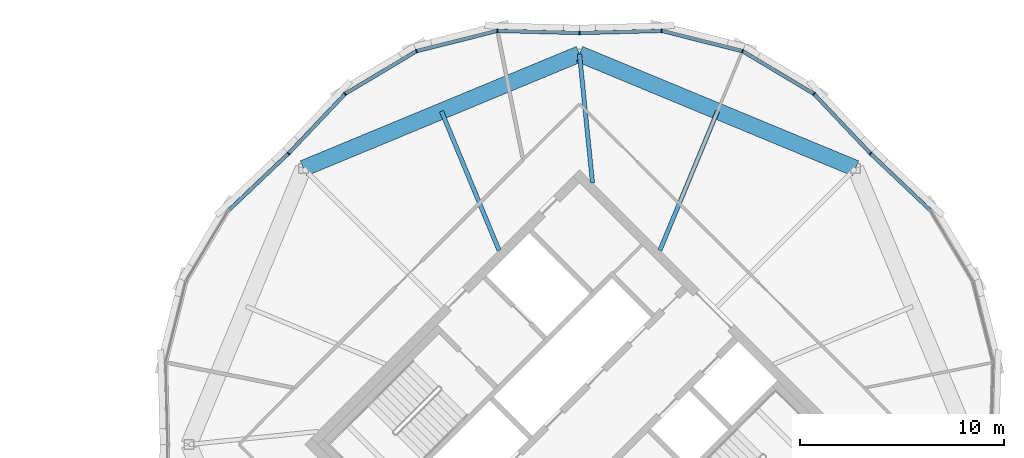
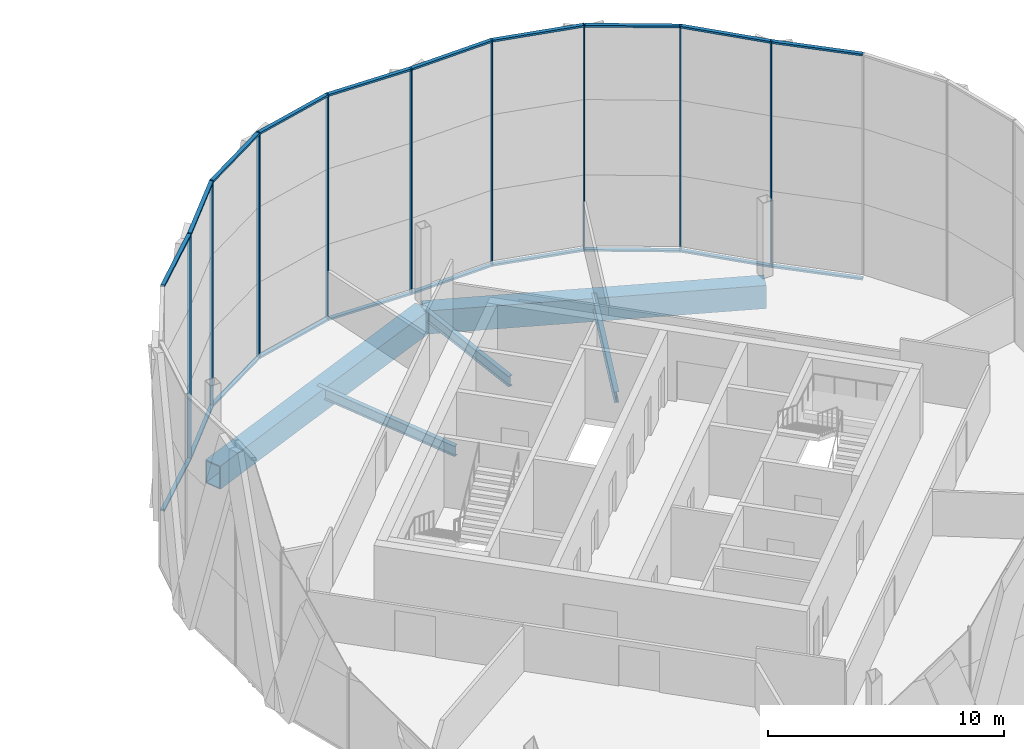
# One storey, part 11 of 22: 29 members, 5 beams, 4 elements without a shape of their own.
"""IFC4 building model written with IfcOpenShell, lengths in metres."""

import ifcopenshell
import ifcopenshell.guid

model = None  # the IFC model being written
_history = None  # IfcOwnerHistory: only IFC2X3 demands one
_inside = {}  # id of a spatial element -> (the spatial element, [elements in it])
_under = {}  # id of a project, library or spatial element -> (it, [spatial elements below it])
_declared = {}  # id of a project -> (the project, [libraries it declares])
_typed = {}  # id of a type object -> (the type object, [elements of that type])
_made_of = {}  # id of a material, layer set ... -> (it, [elements and type objects made of it])


def new_model(schema):
    """Start an empty IFC model of exactly this schema.

    Asked for "IFC4X3", IfcOpenShell would pick the latest addendum, in which some entities
    have other attributes; the version numbers below select the first issue.
    IFC2X3 requires an IfcOwnerHistory on every rooted entity: one is made here for all.
    """
    global model, _history
    if schema == "IFC4X3":
        model = ifcopenshell.file(schema_version=(4, 3, 0, 0))
    else:
        model = ifcopenshell.file(schema=schema)
    _inside.clear()
    _under.clear()
    _declared.clear()
    _typed.clear()
    _made_of.clear()
    _history = None
    if model.schema == "IFC2X3":
        org = make("IfcOrganization", Name="unknown")
        user = make(
            "IfcPersonAndOrganization",
            ThePerson=make("IfcPerson", FamilyName="unknown"),
            TheOrganization=org,
        )
        app = make(
            "IfcApplication",
            ApplicationDeveloper=org,
            Version="unknown",
            ApplicationFullName="unknown",
            ApplicationIdentifier="unknown",
        )
        _history = make(
            "IfcOwnerHistory",
            OwningUser=user,
            OwningApplication=app,
            ChangeAction="ADDED",
            CreationDate=0,
        )
    return model


def make(cls, **values):
    """One entity of the class cls with the attributes given. An attribute that is None is left unset."""
    return model.create_entity(
        cls, **{name: value for name, value in values.items() if value is not None}
    )


def rooted(cls, **values):
    """An entity with a GlobalId (a new one), such as an element, a storey or a relation."""
    return make(cls, GlobalId=ifcopenshell.guid.new(), OwnerHistory=_history, **values)


def si_unit(unit_type, name, prefix=None):
    """IfcSIUnit, for example si_unit("LENGTHUNIT", "METRE", prefix="MILLI")."""
    return make("IfcSIUnit", UnitType=unit_type, Prefix=prefix, Name=name)


def assignment(units):
    """IfcUnitAssignment: the units of a project."""
    return None if units is None else make("IfcUnitAssignment", Units=units)


def point(xyz):
    """IfcCartesianPoint."""
    return None if xyz is None else make("IfcCartesianPoint", Coordinates=xyz)


def direction(xyz):
    """IfcDirection."""
    return None if xyz is None else make("IfcDirection", DirectionRatios=xyz)


def frame(location, z_axis=None, x_axis=None):
    """IfcAxis2Placement3D, a coordinate frame: its origin and axes. An axis left out is left unset."""
    return make(
        "IfcAxis2Placement3D",
        Location=point(location),
        Axis=direction(z_axis),
        RefDirection=direction(x_axis),
    )


def frame_2d(location, x_axis=None):
    """IfcAxis2Placement2D, a coordinate frame in the plane: its origin and x axis."""
    return make(
        "IfcAxis2Placement2D", Location=point(location), RefDirection=direction(x_axis)
    )


def origin():
    """The frame at (0, 0, 0) with its axes left unset."""
    return frame((0.0, 0.0, 0.0))


def origin_2d():
    """The frame at (0, 0) in the plane with its x axis left unset."""
    return frame_2d((0.0, 0.0))


def place(relative_to, where):
    """IfcLocalPlacement: puts the frame where relative to a parent placement (None: the world)."""
    return make(
        "IfcLocalPlacement", PlacementRelTo=relative_to, RelativePlacement=where
    )


def context(
    kind, dimensions, precision=None, world=None, true_north=None, identifier=None
):
    """IfcGeometricRepresentationContext, for example the 3D "Model" context."""
    return make(
        "IfcGeometricRepresentationContext",
        ContextIdentifier=identifier,
        ContextType=kind,
        CoordinateSpaceDimension=dimensions,
        Precision=precision,
        WorldCoordinateSystem=world,
        TrueNorth=true_north,
    )


def subcontext(parent, identifier, kind, view, scale=None):
    """IfcGeometricRepresentationSubContext, for example "Body" below "Model"."""
    return make(
        "IfcGeometricRepresentationSubContext",
        ContextIdentifier=identifier,
        ContextType=kind,
        ParentContext=parent,
        TargetScale=scale,
        TargetView=view,
    )


def project(units=None, contexts=None):
    """IfcProject with its units and contexts."""
    return rooted(
        "IfcProject",
        Name="project",
        RepresentationContexts=contexts,
        UnitsInContext=assignment(units),
    )


def spatial(cls, under=None, at=None, **own):
    """A site, building, storey or space (cls), placed at a placement, below another one or the project."""
    s = rooted(cls, ObjectPlacement=at, **own)
    if under is not None:
        _under.setdefault(under.id(), (under, []))[1].append(s)
    return s


def profile(cls, at=None, kind="AREA", **sizes):
    """A parametric profile (cls). Its sizes go by their IFC names, for example OverallWidth=200.0."""
    return make(cls, ProfileType=kind, Position=at, **sizes)


def rectangle(**sizes):
    """IfcRectangleProfileDef."""
    return profile("IfcRectangleProfileDef", **sizes)


def hollow_rectangle(**sizes):
    """IfcRectangleHollowProfileDef."""
    return profile("IfcRectangleHollowProfileDef", **sizes)


def i_section(**sizes):
    """IfcIShapeProfileDef."""
    return profile("IfcIShapeProfileDef", **sizes)


def extrude(swept, where, along, depth):
    """IfcExtrudedAreaSolid: the profile swept, set in the frame where, extruded along a direction by depth."""
    return make(
        "IfcExtrudedAreaSolid",
        SweptArea=swept,
        Position=where,
        ExtrudedDirection=direction(along),
        Depth=depth,
    )


def shape(context_of_items, identifier, shape_type, items):
    """IfcShapeRepresentation: the items that make up one representation, for example the "Body"."""
    return make(
        "IfcShapeRepresentation",
        ContextOfItems=context_of_items,
        RepresentationIdentifier=identifier,
        RepresentationType=shape_type,
        Items=items,
    )


def material(Name=None, Category=None):
    """IfcMaterial."""
    return make("IfcMaterial", Name=Name, Category=Category)


def material_profile(
    of_material, cross_section, Name=None, Category=None, Priority=None
):
    """IfcMaterialProfile: a cross section and its material."""
    return make(
        "IfcMaterialProfile",
        Name=Name,
        Material=of_material,
        Profile=cross_section,
        Priority=Priority,
        Category=Category,
    )


def profile_set(profiles, Name=None, composite=None):
    """IfcMaterialProfileSet."""
    return make(
        "IfcMaterialProfileSet",
        Name=Name,
        MaterialProfiles=profiles,
        CompositeProfile=composite,
    )


def made_of(thing, what):
    """Note that an element or type object is made of a material, layer set ...; save() writes the relation."""
    if what is not None:
        _made_of.setdefault(what.id(), (what, []))[1].append(thing)
    return thing


def type_object(cls, material=None, **own):
    """A type object (cls), such as IfcWallType, which elements share."""
    return made_of(rooted(cls, **own), material)


def element(
    cls,
    number,
    at=None,
    inside=None,
    cuts=None,
    type_object=None,
    material=None,
    context=None,
    identifier="Body",
    shape_type=None,
    held_by="IfcProductDefinitionShape",
    body=None,
    shapes=None,
    **own,
):
    """One element of the class cls, such as IfcWall. Its Tag is "e" and its number.

    at: its placement. inside: the storey or other place that contains it. cuts: it is an
    opening in that element (IfcRelVoidsElement). A single representation is given by context,
    identifier, shape_type and body (its items); several are given by shapes. held_by: the class
    of the entity that holds the representations. save() writes the other relations.
    """
    e = rooted(cls, Tag="e%d" % number, ObjectPlacement=at, **own)
    if body is not None:
        shapes = [shape(context, identifier, shape_type, body)]
    if shapes is not None:
        e.Representation = make(held_by, Representations=shapes)
    if inside is not None:
        _inside.setdefault(inside.id(), (inside, []))[1].append(e)
    if cuts is not None:
        rooted(
            "IfcRelVoidsElement", RelatingBuildingElement=cuts, RelatedOpeningElement=e
        )
    if type_object is not None:
        _typed.setdefault(type_object.id(), (type_object, []))[1].append(e)
    return made_of(e, material)


def aggregate(whole, parts):
    """IfcRelAggregates: a whole, such as a stair, and the parts it consists of."""
    return rooted("IfcRelAggregates", RelatingObject=whole, RelatedObjects=parts)


def save(model, path):
    """Write the relations noted so far, then the file.

    IfcRelAggregates (storeys below a building ...), IfcRelContainedInSpatialStructure (elements
    in a storey), IfcRelDefinesByType, IfcRelAssociatesMaterial and IfcRelDeclares: one each for
    every whole, place, type object, material and project.
    """
    for whole, parts in _under.values():
        aggregate(whole, parts)
    for where, things in _inside.values():
        rooted(
            "IfcRelContainedInSpatialStructure",
            RelatedElements=things,
            RelatingStructure=where,
        )
    for kind, things in _typed.values():
        rooted("IfcRelDefinesByType", RelatedObjects=things, RelatingType=kind)
    for what, things in _made_of.values():
        rooted("IfcRelAssociatesMaterial", RelatedObjects=things, RelatingMaterial=what)
    for by, libraries in _declared.values():
        rooted("IfcRelDeclares", RelatingContext=by, RelatedDefinitions=libraries)
    model.write(path)


model = new_model("IFC4")

# Units and contexts
model_context = context("Model", 3, precision=1e-05, world=origin(), true_north=direction((0.0, 1.0)))
body_context = subcontext(model_context, "Body", "Model", "MODEL_VIEW")
ifc_project = project(units=[si_unit("LENGTHUNIT", "METRE"), si_unit("AREAUNIT", "SQUARE_METRE"), si_unit("VOLUMEUNIT", "CUBIC_METRE"), si_unit("PLANEANGLEUNIT", "RADIAN"), si_unit("MASSUNIT", "GRAM", prefix="KILO")], contexts=[model_context])

# Site, building, storey
site_placement = place(None, origin())
site = spatial("IfcSite", under=ifc_project, at=site_placement, CompositionType="ELEMENT")
building_placement = place(site_placement, origin())
building = spatial("IfcBuilding", under=site, at=building_placement, Name="Ogive Gate Towers", CompositionType="ELEMENT")
storey_placement = place(building_placement, frame((0.0, 0.0, 228.89990234375)))
storey = spatial("IfcBuildingStorey", under=building, at=storey_placement, Name="L54", CompositionType="ELEMENT", Elevation=228.89990234375)

# Beams
ifc_material_1 = material(Name="Steel SM460", Category="steel")
ifc_material_profile_1 = material_profile(ifc_material_1, hollow_rectangle(XDim=0.800048828125, YDim=1.199951171875, WallThickness=0.050048828125, at=origin_2d()), Name="BX 1200x800x50")
ifc_profile_set_1 = profile_set([ifc_material_profile_1], Name="Steel SM460")
beam_type_1 = type_object("IfcBeamType", Name="Edge girder BX 1200x800x50", PredefinedType="BEAM", material=ifc_profile_set_1)
for number, where, z_axis, x_axis, name in (
    (1, (49.5126953125, 13.5126953125, -0.89990234375), (-0.923872994947, 0.38269921506, 0.0), (-0.38269921506, -0.923872994947, 0.0), "T2/L54/SBM021"),
    (2, (36.0, 19.110107421875, -0.89990234375), (-0.923872994947, -0.38269921506, 0.0), (0.38269921506, -0.923872994947, 0.0), "T2/L54/SBM022"),
):
    element("IfcBeam", number, at=place(storey_placement, frame(where, z_axis=z_axis, x_axis=x_axis)), inside=storey, type_object=beam_type_1, Name=name, PredefinedType="BEAM", context=body_context, shape_type="SweptSolid", body=[
        extrude(hollow_rectangle(XDim=0.800048828125, YDim=1.199951171875, WallThickness=0.050048828125, at=origin_2d()), origin(), (0.0, 0.0, 1.0), 14.626220703125),
    ])
ifc_material_2 = material(Name="Steel SM355", Category="steel")
ifc_material_profile_2 = material_profile(ifc_material_2, i_section(OverallWidth=0.2099609375, OverallDepth=0.550048828125, WebThickness=0.010986328125, FlangeThickness=0.01708984375, FilletRadius=0.02392578125, at=origin_2d()), Name="IPE 550")
ifc_profile_set_2 = profile_set([ifc_material_profile_2], Name="Steel SM355")
beam_type_2 = type_object("IfcBeamType", Name="Radial floor beam IPE 550", PredefinedType="BEAM", material=ifc_profile_set_2)
beam_1_placement = place(storey_placement, frame((39.93505859375, 9.5, -0.574951171875), z_axis=(0.382667649558, 0.923886069806, 0.0), x_axis=(-0.923886069806, 0.382667649558, 0.0)))
element("IfcBeam", 3, at=beam_1_placement, inside=storey, type_object=beam_type_2, Name="T2/L54/SBM010", PredefinedType="BEAM", context=body_context, shape_type="SweptSolid", body=[
    extrude(i_section(OverallWidth=0.2099609375, OverallDepth=0.550048828125, WebThickness=0.010986328125, FlangeThickness=0.01708984375, FilletRadius=0.02392578125, at=origin_2d()), origin(), (0.0, 0.0, 1.0), 7.372802734375),
])
beam_2_placement = place(storey_placement, frame((36.636474609375, 12.798583984375, -0.574951171875), z_axis=(-0.100334383706, 0.994953773522, 0.0), x_axis=(-0.994953773522, -0.100334383706, 0.0)))
element("IfcBeam", 4, at=beam_2_placement, inside=storey, type_object=beam_type_2, Name="T2/L54/SBM011", PredefinedType="BEAM", context=body_context, shape_type="SweptSolid", body=[
    extrude(i_section(OverallWidth=0.2099609375, OverallDepth=0.550048828125, WebThickness=0.010986328125, FlangeThickness=0.01708984375, FilletRadius=0.02392578125, at=origin_2d()), origin(), (0.0, 0.0, 1.0), 6.343505859375),
])
beam_3_placement = place(storey_placement, frame((32.06494140625, 9.5, -0.574951171875), z_axis=(-0.382667649558, 0.923886069806, 0.0), x_axis=(-0.923886069806, -0.382667649558, 0.0)))
element("IfcBeam", 5, at=beam_3_placement, inside=storey, type_object=beam_type_2, Name="T2/L54/SBM012", PredefinedType="BEAM", context=body_context, shape_type="SweptSolid", body=[
    extrude(i_section(OverallWidth=0.2099609375, OverallDepth=0.550048828125, WebThickness=0.010986328125, FlangeThickness=0.01708984375, FilletRadius=0.02392578125, at=origin_2d()), origin(), (0.0, 0.0, 1.0), 7.372802734375),
])

# Curtain wall, member
ifc_material_3 = material(Name="Pale metal aluminium", Category="aluminium")
curtain_wall_type = type_object("IfcCurtainWallType", Name="Tower unitised wall, high zone", PredefinedType="NOTDEFINED", material=ifc_material_3)
curtain_wall_1_placement = place(storey_placement, origin())
curtain_wall_1 = element("IfcCurtainWall", 6, at=curtain_wall_1_placement, inside=storey, type_object=curtain_wall_type, Name="CW2 T2 ECW01", PredefinedType="NOTDEFINED")
ifc_material_profile_3 = material_profile(ifc_material_3, rectangle(XDim=0.179931640625, YDim=0.06005859375, at=origin_2d()), Name="60 x 180 aluminium box")
ifc_profile_set_3 = profile_set([ifc_material_profile_3], Name="Pale metal aluminium")
member_type_1 = type_object("IfcMemberType", Name="Tower unitised wall, high zone mullion 60 x 180", PredefinedType="MULLION", material=ifc_profile_set_3)
member_1_placement = place(storey_placement, frame((50.2412109375, 14.240966796875, -0.2998046875), z_axis=(0.0, 0.0, 1.0), x_axis=(0.688329254932, 0.725398398678, 0.0)))
member_1 = element("IfcMember", 7, at=member_1_placement, type_object=member_type_1, Name="CW2 mullion", PredefinedType="MULLION", context=body_context, shape_type="SweptSolid", body=[
    extrude(rectangle(XDim=0.179931640625, YDim=0.06005859375, at=origin_2d()), origin(), (0.0, 0.0, 1.0), 11.699951171875),
])

# Curtain wall, members
curtain_wall_2_placement = place(storey_placement, origin())
curtain_wall_2 = element("IfcCurtainWall", 8, at=curtain_wall_2_placement, inside=storey, type_object=curtain_wall_type, Name="CW2 T2 ECW02", PredefinedType="NOTDEFINED")
member_2_placement = place(storey_placement, frame((47.473876953125, 17.15771484375, -0.2998046875), z_axis=(0.0, 0.0, 1.0), x_axis=(0.625528657017, 0.780201191521, 0.0)))
member_2 = element("IfcMember", 9, at=member_2_placement, type_object=member_type_1, Name="CW2 mullion", PredefinedType="MULLION", context=body_context, shape_type="SweptSolid", body=[
    extrude(rectangle(XDim=0.179931640625, YDim=0.06005859375, at=origin_2d()), origin(), (0.0, 0.0, 1.0), 11.699951171875),
])
member_3_placement = place(storey_placement, frame((43.9755859375, 19.254638671875, -0.2998046875), z_axis=(0.0, 0.0, 1.0), x_axis=(0.382699557047, 0.923872853285, 0.0)))
member_3 = element("IfcMember", 10, at=member_3_placement, type_object=member_type_1, Name="CW2 mullion", PredefinedType="MULLION", context=body_context, shape_type="SweptSolid", body=[
    extrude(rectangle(XDim=0.179931640625, YDim=0.06005859375, at=origin_2d()), origin(), (0.0, 0.0, 1.0), 11.699951171875),
])
member_4_placement = place(storey_placement, frame((40.01904296875, 20.24560546875, -0.2998046875), z_axis=(0.0, 0.0, 1.0), x_axis=(0.109369998011, 0.994001108417, 0.0)))
member_4 = element("IfcMember", 11, at=member_4_placement, type_object=member_type_1, Name="CW2 mullion", PredefinedType="MULLION", context=body_context, shape_type="SweptSolid", body=[
    extrude(rectangle(XDim=0.179931640625, YDim=0.06005859375, at=origin_2d()), origin(), (0.0, 0.0, 1.0), 11.699951171875),
])
member_5_placement = place(storey_placement, frame((36.000244140625, 20.139892578125, -0.2998046875), z_axis=(0.0, 0.0, 1.0), x_axis=(-0.026229290207, 0.999655952983, 0.0)))
member_5 = element("IfcMember", 12, at=member_5_placement, type_object=member_type_1, Name="CW2 mullion", PredefinedType="MULLION", context=body_context, shape_type="SweptSolid", body=[
    extrude(rectangle(XDim=0.179931640625, YDim=0.06005859375, at=origin_2d()), origin(), (0.0, 0.0, 1.0), 11.699951171875),
])

curtain_wall_3_placement = place(storey_placement, origin())
curtain_wall_3 = element("IfcCurtainWall", 13, at=curtain_wall_3_placement, inside=storey, type_object=curtain_wall_type, Name="CW2 T2 ECW03", PredefinedType="NOTDEFINED")
member_6_placement = place(storey_placement, frame((31.98095703125, 20.24560546875, -0.2998046875), z_axis=(0.0, 0.0, 1.0), x_axis=(-0.109369998011, 0.994001108417, 0.0)))
member_6 = element("IfcMember", 14, at=member_6_placement, type_object=member_type_1, Name="CW2 mullion", PredefinedType="MULLION", context=body_context, shape_type="SweptSolid", body=[
    extrude(rectangle(XDim=0.179931640625, YDim=0.06005859375, at=origin_2d()), origin(), (0.0, 0.0, 1.0), 11.699951171875),
])
member_7_placement = place(storey_placement, frame((28.0244140625, 19.254638671875, -0.2998046875), z_axis=(0.0, 0.0, 1.0), x_axis=(-0.382699557047, 0.923872853285, 0.0)))
member_7 = element("IfcMember", 15, at=member_7_placement, type_object=member_type_1, Name="CW2 mullion", PredefinedType="MULLION", context=body_context, shape_type="SweptSolid", body=[
    extrude(rectangle(XDim=0.179931640625, YDim=0.06005859375, at=origin_2d()), origin(), (0.0, 0.0, 1.0), 11.699951171875),
])
member_8_placement = place(storey_placement, frame((24.526123046875, 17.15771484375, -0.2998046875), z_axis=(0.0, 0.0, 1.0), x_axis=(-0.625528657017, 0.780201191521, 0.0)))
member_8 = element("IfcMember", 16, at=member_8_placement, type_object=member_type_1, Name="CW2 mullion", PredefinedType="MULLION", context=body_context, shape_type="SweptSolid", body=[
    extrude(rectangle(XDim=0.179931640625, YDim=0.06005859375, at=origin_2d()), origin(), (0.0, 0.0, 1.0), 11.699951171875),
])
member_9_placement = place(storey_placement, frame((21.759033203125, 14.2412109375, -0.2998046875), z_axis=(0.0, 0.0, 1.0), x_axis=(-0.725398398678, 0.688329254932, 0.0)))
member_9 = element("IfcMember", 17, at=member_9_placement, type_object=member_type_1, Name="CW2 mullion", PredefinedType="MULLION", context=body_context, shape_type="SweptSolid", body=[
    extrude(rectangle(XDim=0.179931640625, YDim=0.06005859375, at=origin_2d()), origin(), (0.0, 0.0, 1.0), 11.699951171875),
])

# Member
ifc_material_profile_4 = material_profile(ifc_material_3, rectangle(XDim=0.179931640625, YDim=0.10009765625, at=origin_2d()), Name="100 x 180 aluminium box")
ifc_profile_set_4 = profile_set([ifc_material_profile_4], Name="Pale metal aluminium")
member_type_2 = type_object("IfcMemberType", Name="Tower unitised wall, high zone transom 100 x 180", PredefinedType="USERDEFINED", material=ifc_profile_set_4)
member_10_placement = place(storey_placement, frame((53.13671875, 11.493408203125, 11.35009765625), z_axis=(-0.725384001272, 0.688344427375, 0.0), x_axis=(-0.688344427375, -0.725384001272, 0.0)))
member_10 = element("IfcMember", 18, at=member_10_placement, type_object=member_type_2, Name="CW2 transom", ObjectType="TRANSOM", PredefinedType="USERDEFINED", context=body_context, shape_type="SweptSolid", body=[
    extrude(rectangle(XDim=0.179931640625, YDim=0.10009765625, at=origin_2d()), origin(), (0.0, 0.0, 1.0), 3.96142578125),
])

member_11_placement = place(storey_placement, frame((53.13671875, 11.493408203125, -0.25), z_axis=(-0.725384001272, 0.688344427375, 0.0), x_axis=(-0.688344427375, -0.725384001272, 0.0)))
member_11 = element("IfcMember", 19, at=member_11_placement, type_object=member_type_2, Name="CW2 transom", ObjectType="TRANSOM", PredefinedType="USERDEFINED", context=body_context, shape_type="SweptSolid", body=[
    extrude(rectangle(XDim=0.179931640625, YDim=0.10009765625, at=origin_2d()), origin(), (0.0, 0.0, 1.0), 3.96142578125),
])

aggregate(curtain_wall_1, [member_1, member_10, member_11])

member_12_placement = place(storey_placement, frame((50.22021484375, 14.26318359375, 11.35009765625), z_axis=(-0.688344427375, 0.725384001272, 0.0), x_axis=(-0.725384001272, -0.688344427375, 0.0)))
member_12 = element("IfcMember", 20, at=member_12_placement, type_object=member_type_2, Name="CW2 transom", ObjectType="TRANSOM", PredefinedType="USERDEFINED", context=body_context, shape_type="SweptSolid", body=[
    extrude(rectangle(XDim=0.179931640625, YDim=0.10009765625, at=origin_2d()), origin(), (0.0, 0.0, 1.0), 3.96142578125),
])

member_13_placement = place(storey_placement, frame((50.22021484375, 14.26318359375, -0.25), z_axis=(-0.688344427375, 0.725384001272, 0.0), x_axis=(-0.725384001272, -0.688344427375, 0.0)))
member_13 = element("IfcMember", 21, at=member_13_placement, type_object=member_type_2, Name="CW2 transom", ObjectType="TRANSOM", PredefinedType="USERDEFINED", context=body_context, shape_type="SweptSolid", body=[
    extrude(rectangle(XDim=0.179931640625, YDim=0.10009765625, at=origin_2d()), origin(), (0.0, 0.0, 1.0), 3.96142578125),
])

member_14_placement = place(storey_placement, frame((47.44921875, 17.172119140625, 11.35009765625), z_axis=(-0.857674994369, 0.514192185894, 0.0), x_axis=(-0.514192185894, -0.857674994369, 0.0)))
member_14 = element("IfcMember", 22, at=member_14_placement, type_object=member_type_2, Name="CW2 transom", ObjectType="TRANSOM", PredefinedType="USERDEFINED", context=body_context, shape_type="SweptSolid", body=[
    extrude(rectangle(XDim=0.179931640625, YDim=0.10009765625, at=origin_2d()), origin(), (0.0, 0.0, 1.0), 4.021484375),
])

member_15_placement = place(storey_placement, frame((47.44921875, 17.172119140625, -0.25), z_axis=(-0.857674994369, 0.514192185894, 0.0), x_axis=(-0.514192185894, -0.857674994369, 0.0)))
member_15 = element("IfcMember", 23, at=member_15_placement, type_object=member_type_2, Name="CW2 transom", ObjectType="TRANSOM", PredefinedType="USERDEFINED", context=body_context, shape_type="SweptSolid", body=[
    extrude(rectangle(XDim=0.179931640625, YDim=0.10009765625, at=origin_2d()), origin(), (0.0, 0.0, 1.0), 4.021484375),
])

member_16_placement = place(storey_placement, frame((43.947998046875, 19.261474609375, 11.35009765625), z_axis=(-0.970038852527, 0.242949839653, 0.0), x_axis=(-0.242949839653, -0.970038852527, 0.0)))
member_16 = element("IfcMember", 24, at=member_16_placement, type_object=member_type_2, Name="CW2 transom", ObjectType="TRANSOM", PredefinedType="USERDEFINED", context=body_context, shape_type="SweptSolid", body=[
    extrude(rectangle(XDim=0.179931640625, YDim=0.10009765625, at=origin_2d()), origin(), (0.0, 0.0, 1.0), 4.021728515625),
])

member_17_placement = place(storey_placement, frame((43.947998046875, 19.261474609375, -0.25), z_axis=(-0.970038852527, 0.242949839653, 0.0), x_axis=(-0.242949839653, -0.970038852527, 0.0)))
member_17 = element("IfcMember", 25, at=member_17_placement, type_object=member_type_2, Name="CW2 transom", ObjectType="TRANSOM", PredefinedType="USERDEFINED", context=body_context, shape_type="SweptSolid", body=[
    extrude(rectangle(XDim=0.179931640625, YDim=0.10009765625, at=origin_2d()), origin(), (0.0, 0.0, 1.0), 4.021728515625),
])

member_18_placement = place(storey_placement, frame((39.990478515625, 20.24462890625, 11.35009765625), z_axis=(-0.999656940786, -0.026191615796, 0.0), x_axis=(0.026191615796, -0.999656940786, 0.0)))
member_18 = element("IfcMember", 26, at=member_18_placement, type_object=member_type_2, Name="CW2 transom", ObjectType="TRANSOM", PredefinedType="USERDEFINED", context=body_context, shape_type="SweptSolid", body=[
    extrude(rectangle(XDim=0.179931640625, YDim=0.10009765625, at=origin_2d()), origin(), (0.0, 0.0, 1.0), 3.961669921875),
])

member_19_placement = place(storey_placement, frame((39.990478515625, 20.24462890625, -0.25), z_axis=(-0.999656940786, -0.026191615796, 0.0), x_axis=(0.026191615796, -0.999656940786, 0.0)))
member_19 = element("IfcMember", 27, at=member_19_placement, type_object=member_type_2, Name="CW2 transom", ObjectType="TRANSOM", PredefinedType="USERDEFINED", context=body_context, shape_type="SweptSolid", body=[
    extrude(rectangle(XDim=0.179931640625, YDim=0.10009765625, at=origin_2d()), origin(), (0.0, 0.0, 1.0), 3.961669921875),
])

aggregate(curtain_wall_2, [member_2, member_12, member_13, member_3, member_14, member_15, member_4, member_16, member_17, member_5, member_18, member_19])

member_20_placement = place(storey_placement, frame((35.9697265625, 20.140869140625, 11.35009765625), z_axis=(-0.999656940786, 0.026191615796, 0.0), x_axis=(-0.026191615796, -0.999656940786, 0.0)))
member_20 = element("IfcMember", 28, at=member_20_placement, type_object=member_type_2, Name="CW2 transom", ObjectType="TRANSOM", PredefinedType="USERDEFINED", context=body_context, shape_type="SweptSolid", body=[
    extrude(rectangle(XDim=0.179931640625, YDim=0.10009765625, at=origin_2d()), origin(), (0.0, 0.0, 1.0), 3.961669921875),
])

member_21_placement = place(storey_placement, frame((35.9697265625, 20.140869140625, -0.25), z_axis=(-0.999656940786, 0.026191615796, 0.0), x_axis=(-0.026191615796, -0.999656940786, 0.0)))
member_21 = element("IfcMember", 29, at=member_21_placement, type_object=member_type_2, Name="CW2 transom", ObjectType="TRANSOM", PredefinedType="USERDEFINED", context=body_context, shape_type="SweptSolid", body=[
    extrude(rectangle(XDim=0.179931640625, YDim=0.10009765625, at=origin_2d()), origin(), (0.0, 0.0, 1.0), 3.961669921875),
])

member_22_placement = place(storey_placement, frame((31.953125, 20.238525390625, 11.35009765625), z_axis=(-0.970038852527, -0.242949839653, 0.0), x_axis=(0.242949839653, -0.970038852527, 0.0)))
member_22 = element("IfcMember", 30, at=member_22_placement, type_object=member_type_2, Name="CW2 transom", ObjectType="TRANSOM", PredefinedType="USERDEFINED", context=body_context, shape_type="SweptSolid", body=[
    extrude(rectangle(XDim=0.179931640625, YDim=0.10009765625, at=origin_2d()), origin(), (0.0, 0.0, 1.0), 4.021728515625),
])

member_23_placement = place(storey_placement, frame((31.953125, 20.238525390625, -0.25), z_axis=(-0.970038852527, -0.242949839653, 0.0), x_axis=(0.242949839653, -0.970038852527, 0.0)))
member_23 = element("IfcMember", 31, at=member_23_placement, type_object=member_type_2, Name="CW2 transom", ObjectType="TRANSOM", PredefinedType="USERDEFINED", context=body_context, shape_type="SweptSolid", body=[
    extrude(rectangle(XDim=0.179931640625, YDim=0.10009765625, at=origin_2d()), origin(), (0.0, 0.0, 1.0), 4.021728515625),
])

member_24_placement = place(storey_placement, frame((28.0, 19.239990234375, 11.35009765625), z_axis=(-0.857674994369, -0.514192185894, 0.0), x_axis=(0.514192185894, -0.857674994369, 0.0)))
member_24 = element("IfcMember", 32, at=member_24_placement, type_object=member_type_2, Name="CW2 transom", ObjectType="TRANSOM", PredefinedType="USERDEFINED", context=body_context, shape_type="SweptSolid", body=[
    extrude(rectangle(XDim=0.179931640625, YDim=0.10009765625, at=origin_2d()), origin(), (0.0, 0.0, 1.0), 4.021484375),
])

member_25_placement = place(storey_placement, frame((28.0, 19.239990234375, -0.25), z_axis=(-0.857674994369, -0.514192185894, 0.0), x_axis=(0.514192185894, -0.857674994369, 0.0)))
member_25 = element("IfcMember", 33, at=member_25_placement, type_object=member_type_2, Name="CW2 transom", ObjectType="TRANSOM", PredefinedType="USERDEFINED", context=body_context, shape_type="SweptSolid", body=[
    extrude(rectangle(XDim=0.179931640625, YDim=0.10009765625, at=origin_2d()), origin(), (0.0, 0.0, 1.0), 4.021484375),
])

member_26_placement = place(storey_placement, frame((24.506591796875, 17.13671875, 11.35009765625), z_axis=(-0.688344427375, -0.725384001272, 0.0), x_axis=(0.725384001272, -0.688344427375, 0.0)))
member_26 = element("IfcMember", 34, at=member_26_placement, type_object=member_type_2, Name="CW2 transom", ObjectType="TRANSOM", PredefinedType="USERDEFINED", context=body_context, shape_type="SweptSolid", body=[
    extrude(rectangle(XDim=0.179931640625, YDim=0.10009765625, at=origin_2d()), origin(), (0.0, 0.0, 1.0), 3.96142578125),
])

member_27_placement = place(storey_placement, frame((24.506591796875, 17.13671875, -0.25), z_axis=(-0.688344427375, -0.725384001272, 0.0), x_axis=(0.725384001272, -0.688344427375, 0.0)))
member_27 = element("IfcMember", 35, at=member_27_placement, type_object=member_type_2, Name="CW2 transom", ObjectType="TRANSOM", PredefinedType="USERDEFINED", context=body_context, shape_type="SweptSolid", body=[
    extrude(rectangle(XDim=0.179931640625, YDim=0.10009765625, at=origin_2d()), origin(), (0.0, 0.0, 1.0), 3.96142578125),
])

aggregate(curtain_wall_3, [member_6, member_20, member_21, member_7, member_22, member_23, member_8, member_24, member_25, member_9, member_26, member_27])

# Curtain wall, members
curtain_wall_4_placement = place(storey_placement, origin())
curtain_wall_4 = element("IfcCurtainWall", 36, at=curtain_wall_4_placement, inside=storey, type_object=curtain_wall_type, Name="CW2 T2 ECW04", PredefinedType="NOTDEFINED")
member_28_placement = place(storey_placement, frame((21.73681640625, 14.22021484375, 11.35009765625), z_axis=(-0.725384001272, -0.688344427375, 0.0), x_axis=(0.688344427375, -0.725384001272, 0.0)))
member_28 = element("IfcMember", 37, at=member_28_placement, type_object=member_type_2, Name="CW2 transom", ObjectType="TRANSOM", PredefinedType="USERDEFINED", context=body_context, shape_type="SweptSolid", body=[
    extrude(rectangle(XDim=0.179931640625, YDim=0.10009765625, at=origin_2d()), origin(), (0.0, 0.0, 1.0), 3.96142578125),
])
member_29_placement = place(storey_placement, frame((21.73681640625, 14.22021484375, -0.25), z_axis=(-0.725384001272, -0.688344427375, 0.0), x_axis=(0.688344427375, -0.725384001272, 0.0)))
member_29 = element("IfcMember", 38, at=member_29_placement, type_object=member_type_2, Name="CW2 transom", ObjectType="TRANSOM", PredefinedType="USERDEFINED", context=body_context, shape_type="SweptSolid", body=[
    extrude(rectangle(XDim=0.179931640625, YDim=0.10009765625, at=origin_2d()), origin(), (0.0, 0.0, 1.0), 3.96142578125),
])
aggregate(curtain_wall_4, [member_28, member_29])

save(model, "model.ifc")
